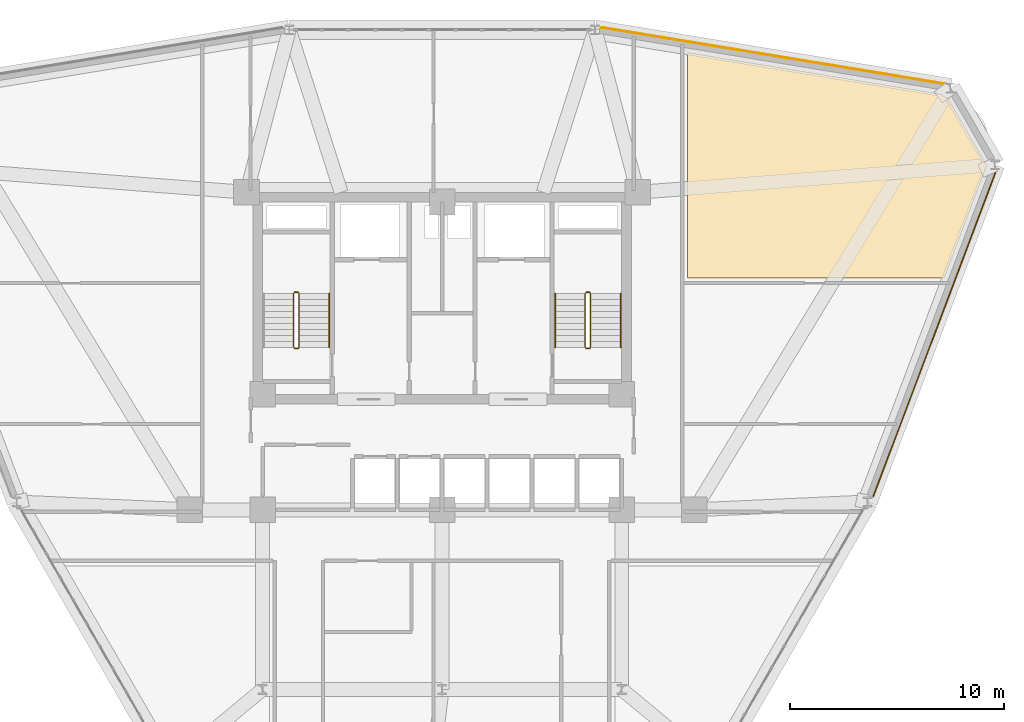
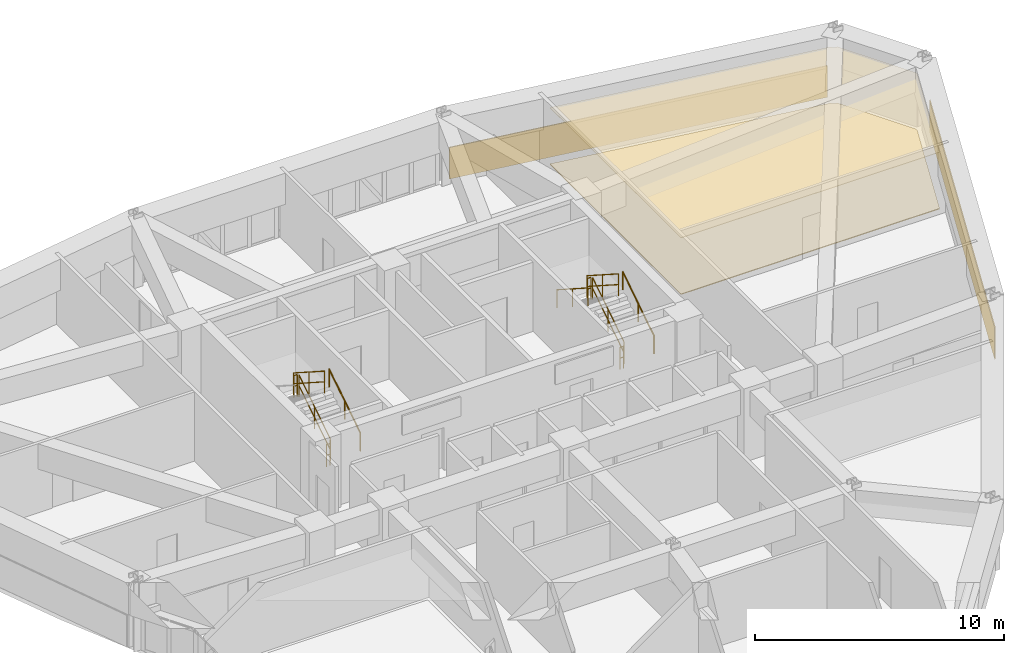
# One storey, part 16 of 16: 11 railings, 4 coverings.
"""IFC4 building model written with IfcOpenShell, lengths in metres."""

from ifc_helpers import new_model, si_unit, derived_unit, direction, frame, origin, origin_2d, place, context, subcontext, project, spatial, polyline, circle, outline, extrude, material, layer, layer_set, type_object, element, save


model = new_model("IFC4")

# Units and contexts
model_context = context("Model", 3, precision=1e-05, world=origin(), true_north=direction((0.0, 1.0)))
body_context = subcontext(model_context, "Body", "Model", "MODEL_VIEW")
ifc_project = project(units=[si_unit("LENGTHUNIT", "METRE"), si_unit("AREAUNIT", "SQUARE_METRE"), si_unit("VOLUMEUNIT", "CUBIC_METRE"), si_unit("PLANEANGLEUNIT", "RADIAN"), si_unit("MASSUNIT", "GRAM", prefix="KILO"), derived_unit("THERMALTRANSMITTANCEUNIT", [(si_unit("POWERUNIT", "WATT"), 1), (si_unit("LENGTHUNIT", "METRE"), -2), (si_unit("THERMODYNAMICTEMPERATUREUNIT", "KELVIN"), -1)])], contexts=[model_context])

# Site, building, storey
site_placement = place(None, origin())
site = spatial("IfcSite", under=ifc_project, at=site_placement, CompositionType="ELEMENT")
building_placement = place(site_placement, origin())
building = spatial("IfcBuilding", under=site, at=building_placement, Name="Korsvarv Bourse and Concert Hall", CompositionType="ELEMENT")
storey_placement = place(building_placement, frame((0.0, 0.0, 106.199951171875)))
storey = spatial("IfcBuildingStorey", under=building, at=storey_placement, Name="L26", CompositionType="ELEMENT", Elevation=106.199951171875)

# Coverings
ifc_material_1 = material(Name="Perforated mineral-wool and birch acoustic baffle ceiling", Category="wood")
ifc_layer_1 = layer(ifc_material_1, 0.02490234375)
ifc_layer_set_1 = layer_set([ifc_layer_1], Name="Perforated mineral-wool and birch acoustic baffle ceiling")
covering_type_1 = type_object("IfcCoveringType", Name="COV-CEIL-1", PredefinedType="CEILING", material=ifc_layer_set_1)
covering_1_placement = place(storey_placement, frame((0.0, 0.0, 2.780029296875)))
element("IfcCovering", 1, at=covering_1_placement, inside=storey, type_object=covering_type_1, Name="L26 acoustic baffle ceiling 1", PredefinedType="CEILING", context=body_context, shape_type="SweptSolid", body=[
    extrude(outline(polyline([(59.39208984375, 51.83837890625), (59.40625, 51.804931640625), (59.4267578125, 51.775146484375), (59.452880859375, 51.75), (59.483642578125, 51.730712890625), (59.517578125, 51.718017578125), (59.55322265625, 51.712158203125), (59.627685546875, 51.7080078125), (61.4521484375, 48.5478515625), (61.4521484375, 48.4423828125), (59.492919921875, 43.25), (47.47998046875, 43.25), (47.47998046875, 53.795654296875), (59.39208984375, 51.83837890625)])), origin(), (0.0, 0.0, 1.0), 0.02490234375),
])
ifc_material_2 = material(Name="Warm iron-oxide extruded terracotta rainscreen tile", Category="ceramic")
ifc_layer_2 = layer(ifc_material_2, 0.044921875)
ifc_layer_set_2 = layer_set([ifc_layer_2], Name="Warm iron-oxide extruded terracotta rainscreen tile")
covering_type_2 = type_object("IfcCoveringType", Name="COV-CLD-TC", PredefinedType="CLADDING", material=ifc_layer_set_2)
covering_2_placement = place(storey_placement, origin())
element("IfcCovering", 2, at=covering_2_placement, inside=storey, type_object=covering_type_2, Name="L26 fluted terracotta cladding panel EW-L26-B02", PredefinedType="CLADDING", context=body_context, shape_type="SweptSolid", body=[
    extrude(outline(polyline([(59.51171875, 52.30078125), (43.464111328125, 54.9365234375), (43.471435546875, 54.98095703125), (59.51904296875, 52.34521484375), (59.51171875, 52.30078125)])), origin(), (0.0, 0.0, 1.0), 1.550048828125),
])
covering_3_placement = place(storey_placement, origin())
element("IfcCovering", 3, at=covering_3_placement, inside=storey, type_object=covering_type_2, Name="L26 fluted terracotta cladding panel EW-L26-B12", PredefinedType="CLADDING", context=body_context, shape_type="SweptSolid", body=[
    extrude(outline(polyline([(56.142822265625, 33.025390625), (61.861572265625, 48.181884765625), (61.90380859375, 48.166015625), (56.18505859375, 33.009521484375), (56.142822265625, 33.025390625)])), origin(), (0.0, 0.0, 1.0), 1.550048828125),
])
ifc_material_3 = material(Name="Calcium-sulphate raised access trading floor with Nordic oak top", Category="wood")
ifc_layer_3 = layer(ifc_material_3, 0.0400390625)
ifc_layer_set_3 = layer_set([ifc_layer_3], Name="Calcium-sulphate raised access trading floor with Nordic oak top")
covering_type_3 = type_object("IfcCoveringType", Name="COV-FLOR-1", PredefinedType="FLOORING", material=ifc_layer_set_3)
covering_4_placement = place(storey_placement, origin())
element("IfcCovering", 4, at=covering_4_placement, inside=storey, type_object=covering_type_3, Name="L26 raised access oak floor finish 1", PredefinedType="FLOORING", context=body_context, shape_type="SweptSolid", body=[
    extrude(outline(polyline([(59.39208984375, 51.83837890625), (59.40625, 51.804931640625), (59.4267578125, 51.775146484375), (59.452880859375, 51.75), (59.483642578125, 51.730712890625), (59.517578125, 51.718017578125), (59.55322265625, 51.712158203125), (59.627685546875, 51.7080078125), (61.4521484375, 48.5478515625), (61.4521484375, 48.4423828125), (59.492919921875, 43.25), (47.47998046875, 43.25), (47.47998046875, 53.795654296875), (59.39208984375, 51.83837890625)])), origin(), (0.0, 0.0, 1.0), 0.0400390625),
])

# Railings
ifc_material_4 = material(Name="Painted Steel S355 stair well guardrail", Category="steel")
railing_type_1 = type_object("IfcRailingType", Name="RL-ST-GRD", PredefinedType="GUARDRAIL", material=ifc_material_4)
railing_1_placement = place(storey_placement, frame((29.31005859375, 40.0, 0.179931640625)))
element("IfcRailing", 5, at=railing_1_placement, inside=storey, type_object=railing_type_1, Name="L26 ST-T1 stair guard 1", PredefinedType="GUARDRAIL", context=body_context, shape_type="SweptSolid", body=[
    extrude(circle(Radius=0.02392578125, at=origin_2d()), frame((0.0, 0.0, 1.076171875), z_axis=(0.0, 0.841162588446, 0.540782303519), x_axis=(-1.0, 0.0, 0.0)), (0.0, 0.0, 1.0), 2.995849609375),
    extrude(circle(Radius=0.02392578125, at=origin_2d()), frame((0.0, 0.0, 0.550048828125), z_axis=(0.0, 0.841162588446, 0.540782303519), x_axis=(-1.0, 0.0, 0.0)), (0.0, 0.0, 1.0), 2.995849609375),
    extrude(circle(Radius=0.02099609375, at=origin_2d()), origin(), (0.0, 0.0, 1.0), 1.052001953125),
    extrude(circle(Radius=0.02099609375, at=origin_2d()), frame((0.0, 1.260009765625, 0.81005859375)), (0.0, 0.0, 1.0), 1.052001953125),
    extrude(circle(Radius=0.02099609375, at=origin_2d()), frame((0.0, 2.52001953125, 1.6201171875)), (0.0, 0.0, 1.0), 1.052001953125),
])
railing_2_placement = place(storey_placement, frame((29.260009765625, 42.570068359375, 1.800048828125)))
element("IfcRailing", 6, at=railing_2_placement, inside=storey, type_object=railing_type_1, Name="L26 ST-T1 stair guard 2", PredefinedType="GUARDRAIL", context=body_context, shape_type="SweptSolid", body=[
    extrude(circle(Radius=0.02392578125, at=origin_2d()), frame((0.0, 0.0, 1.076171875), z_axis=(-1.0, 0.0, 0.0), x_axis=(0.0, -1.0, 0.0)), (0.0, 0.0, 1.0), 0.159912109375),
    extrude(circle(Radius=0.02392578125, at=origin_2d()), frame((0.0, 0.0, 0.550048828125), z_axis=(-1.0, 0.0, 0.0), x_axis=(0.0, -1.0, 0.0)), (0.0, 0.0, 1.0), 0.159912109375),
    extrude(circle(Radius=0.02099609375, at=origin_2d()), origin(), (0.0, 0.0, 1.0), 1.052001953125),
    extrude(circle(Radius=0.02099609375, at=origin_2d()), frame((-0.159912109375, 0.0, 0.0)), (0.0, 0.0, 1.0), 1.052001953125),
])
railing_3_placement = place(storey_placement, frame((29.050048828125, 42.52001953125, 1.97998046875)))
element("IfcRailing", 7, at=railing_3_placement, inside=storey, type_object=railing_type_1, Name="L26 ST-T1 stair guard 3", PredefinedType="GUARDRAIL", context=body_context, shape_type="SweptSolid", body=[
    extrude(circle(Radius=0.02392578125, at=origin_2d()), frame((0.0, 0.0, 1.076171875), z_axis=(0.0, -0.841162588446, 0.540782303519), x_axis=(1.0, 0.0, 0.0)), (0.0, 0.0, 1.0), 2.995849609375),
    extrude(circle(Radius=0.02392578125, at=origin_2d()), frame((0.0, 0.0, 0.550048828125), z_axis=(0.0, -0.841162588446, 0.540782303519), x_axis=(1.0, 0.0, 0.0)), (0.0, 0.0, 1.0), 2.995849609375),
    extrude(circle(Radius=0.02099609375, at=origin_2d()), origin(), (0.0, 0.0, 1.0), 1.052001953125),
    extrude(circle(Radius=0.02099609375, at=origin_2d()), frame((0.0, -1.260009765625, 0.81005859375)), (0.0, 0.0, 1.0), 1.052001953125),
    extrude(circle(Radius=0.02099609375, at=origin_2d()), frame((0.0, -2.52001953125, 1.6201171875)), (0.0, 0.0, 1.0), 1.052001953125),
])
railing_4_placement = place(storey_placement, frame((29.260009765625, 39.949951171875, 0.0)))
element("IfcRailing", 8, at=railing_4_placement, inside=storey, type_object=railing_type_1, Name="L26 ST-T1 stair guard 4", PredefinedType="GUARDRAIL", context=body_context, shape_type="SweptSolid", body=[
    extrude(circle(Radius=0.02392578125, at=origin_2d()), frame((0.0, 0.0, 1.076171875), z_axis=(-1.0, 0.0, 0.0), x_axis=(0.0, -1.0, 0.0)), (0.0, 0.0, 1.0), 0.159912109375),
    extrude(circle(Radius=0.02392578125, at=origin_2d()), frame((0.0, 0.0, 0.550048828125), z_axis=(-1.0, 0.0, 0.0), x_axis=(0.0, -1.0, 0.0)), (0.0, 0.0, 1.0), 0.159912109375),
    extrude(circle(Radius=0.02099609375, at=origin_2d()), origin(), (0.0, 0.0, 1.0), 1.052001953125),
    extrude(circle(Radius=0.02099609375, at=origin_2d()), frame((-0.159912109375, 0.0, 0.0)), (0.0, 0.0, 1.0), 1.052001953125),
])
railing_5_placement = place(storey_placement, frame((42.949951171875, 40.0, 0.179931640625)))
element("IfcRailing", 9, at=railing_5_placement, inside=storey, type_object=railing_type_1, Name="L26 ST-T2 stair guard 1", PredefinedType="GUARDRAIL", context=body_context, shape_type="SweptSolid", body=[
    extrude(circle(Radius=0.02392578125, at=origin_2d()), frame((0.0, 0.0, 1.076171875), z_axis=(0.0, 0.841162588446, 0.540782303519), x_axis=(-1.0, 0.0, 0.0)), (0.0, 0.0, 1.0), 2.995849609375),
    extrude(circle(Radius=0.02392578125, at=origin_2d()), frame((0.0, 0.0, 0.550048828125), z_axis=(0.0, 0.841162588446, 0.540782303519), x_axis=(-1.0, 0.0, 0.0)), (0.0, 0.0, 1.0), 2.995849609375),
    extrude(circle(Radius=0.02099609375, at=origin_2d()), origin(), (0.0, 0.0, 1.0), 1.052001953125),
    extrude(circle(Radius=0.02099609375, at=origin_2d()), frame((0.0, 1.260009765625, 0.81005859375)), (0.0, 0.0, 1.0), 1.052001953125),
    extrude(circle(Radius=0.02099609375, at=origin_2d()), frame((0.0, 2.52001953125, 1.6201171875)), (0.0, 0.0, 1.0), 1.052001953125),
])
railing_6_placement = place(storey_placement, frame((42.89990234375, 42.570068359375, 1.800048828125)))
element("IfcRailing", 10, at=railing_6_placement, inside=storey, type_object=railing_type_1, Name="L26 ST-T2 stair guard 2", PredefinedType="GUARDRAIL", context=body_context, shape_type="SweptSolid", body=[
    extrude(circle(Radius=0.02392578125, at=origin_2d()), frame((0.0, 0.0, 1.076171875), z_axis=(-1.0, 0.0, 0.0), x_axis=(0.0, -1.0, 0.0)), (0.0, 0.0, 1.0), 0.159912109375),
    extrude(circle(Radius=0.02392578125, at=origin_2d()), frame((0.0, 0.0, 0.550048828125), z_axis=(-1.0, 0.0, 0.0), x_axis=(0.0, -1.0, 0.0)), (0.0, 0.0, 1.0), 0.159912109375),
    extrude(circle(Radius=0.02099609375, at=origin_2d()), origin(), (0.0, 0.0, 1.0), 1.052001953125),
    extrude(circle(Radius=0.02099609375, at=origin_2d()), frame((-0.159912109375, 0.0, 0.0)), (0.0, 0.0, 1.0), 1.052001953125),
])
railing_7_placement = place(storey_placement, frame((42.68994140625, 42.52001953125, 1.97998046875)))
element("IfcRailing", 11, at=railing_7_placement, inside=storey, type_object=railing_type_1, Name="L26 ST-T2 stair guard 3", PredefinedType="GUARDRAIL", context=body_context, shape_type="SweptSolid", body=[
    extrude(circle(Radius=0.02392578125, at=origin_2d()), frame((0.0, 0.0, 1.076171875), z_axis=(0.0, -0.841162588446, 0.540782303519), x_axis=(1.0, 0.0, 0.0)), (0.0, 0.0, 1.0), 2.995849609375),
    extrude(circle(Radius=0.02392578125, at=origin_2d()), frame((0.0, 0.0, 0.550048828125), z_axis=(0.0, -0.841162588446, 0.540782303519), x_axis=(1.0, 0.0, 0.0)), (0.0, 0.0, 1.0), 2.995849609375),
    extrude(circle(Radius=0.02099609375, at=origin_2d()), origin(), (0.0, 0.0, 1.0), 1.052001953125),
    extrude(circle(Radius=0.02099609375, at=origin_2d()), frame((0.0, -1.260009765625, 0.81005859375)), (0.0, 0.0, 1.0), 1.052001953125),
    extrude(circle(Radius=0.02099609375, at=origin_2d()), frame((0.0, -2.52001953125, 1.6201171875)), (0.0, 0.0, 1.0), 1.052001953125),
])
railing_8_placement = place(storey_placement, frame((42.89990234375, 39.949951171875, 0.0)))
element("IfcRailing", 12, at=railing_8_placement, inside=storey, type_object=railing_type_1, Name="L26 ST-T2 stair guard 4", PredefinedType="GUARDRAIL", context=body_context, shape_type="SweptSolid", body=[
    extrude(circle(Radius=0.02392578125, at=origin_2d()), frame((0.0, 0.0, 1.076171875), z_axis=(-1.0, 0.0, 0.0), x_axis=(0.0, -1.0, 0.0)), (0.0, 0.0, 1.0), 0.159912109375),
    extrude(circle(Radius=0.02392578125, at=origin_2d()), frame((0.0, 0.0, 0.550048828125), z_axis=(-1.0, 0.0, 0.0), x_axis=(0.0, -1.0, 0.0)), (0.0, 0.0, 1.0), 0.159912109375),
    extrude(circle(Radius=0.02099609375, at=origin_2d()), origin(), (0.0, 0.0, 1.0), 1.052001953125),
    extrude(circle(Radius=0.02099609375, at=origin_2d()), frame((-0.159912109375, 0.0, 0.0)), (0.0, 0.0, 1.0), 1.052001953125),
])
ifc_material_5 = material(Name="Brushed stainless Steel S355 tubular handrail", Category="steel")
railing_type_2 = type_object("IfcRailingType", Name="RL-ST-HND", PredefinedType="HANDRAIL", material=ifc_material_5)
for number, where, name in (
    (13, (30.7099609375, 40.0, 0.179931640625), "L26 ST-T1 stair handrail 1"),
    (14, (44.35009765625, 40.0, 0.179931640625), "L26 ST-T2 stair handrail 1"),
):
    element("IfcRailing", number, at=place(storey_placement, frame(where)), inside=storey, type_object=railing_type_2, Name=name, PredefinedType="HANDRAIL", context=body_context, shape_type="SweptSolid", body=[
        extrude(circle(Radius=0.02392578125, at=origin_2d()), frame((0.0, 0.0, 0.8759765625), z_axis=(0.0, 0.841162588446, 0.540782303519), x_axis=(-1.0, 0.0, 0.0)), (0.0, 0.0, 1.0), 2.995849609375),
        extrude(circle(Radius=0.02099609375, at=origin_2d()), origin(), (0.0, 0.0, 1.0), 0.851806640625),
        extrude(circle(Radius=0.02099609375, at=origin_2d()), frame((0.0, 1.260009765625, 0.81005859375)), (0.0, 0.0, 1.0), 0.851806640625),
        extrude(circle(Radius=0.02099609375, at=origin_2d()), frame((0.0, 2.52001953125, 1.6201171875)), (0.0, 0.0, 1.0), 0.851806640625),
    ])
railing_9_placement = place(storey_placement, frame((41.2900390625, 42.52001953125, 1.97998046875)))
element("IfcRailing", 15, at=railing_9_placement, inside=storey, type_object=railing_type_2, Name="L26 ST-T2 stair handrail 2", PredefinedType="HANDRAIL", context=body_context, shape_type="SweptSolid", body=[
    extrude(circle(Radius=0.02392578125, at=origin_2d()), frame((0.0, 0.0, 0.8759765625), z_axis=(0.0, -0.841162588446, 0.540782303519), x_axis=(1.0, 0.0, 0.0)), (0.0, 0.0, 1.0), 2.995849609375),
    extrude(circle(Radius=0.02099609375, at=origin_2d()), origin(), (0.0, 0.0, 1.0), 0.851806640625),
    extrude(circle(Radius=0.02099609375, at=origin_2d()), frame((0.0, -1.260009765625, 0.81005859375)), (0.0, 0.0, 1.0), 0.851806640625),
    extrude(circle(Radius=0.02099609375, at=origin_2d()), frame((0.0, -2.52001953125, 1.6201171875)), (0.0, 0.0, 1.0), 0.851806640625),
])

save(model, "model.ifc")
